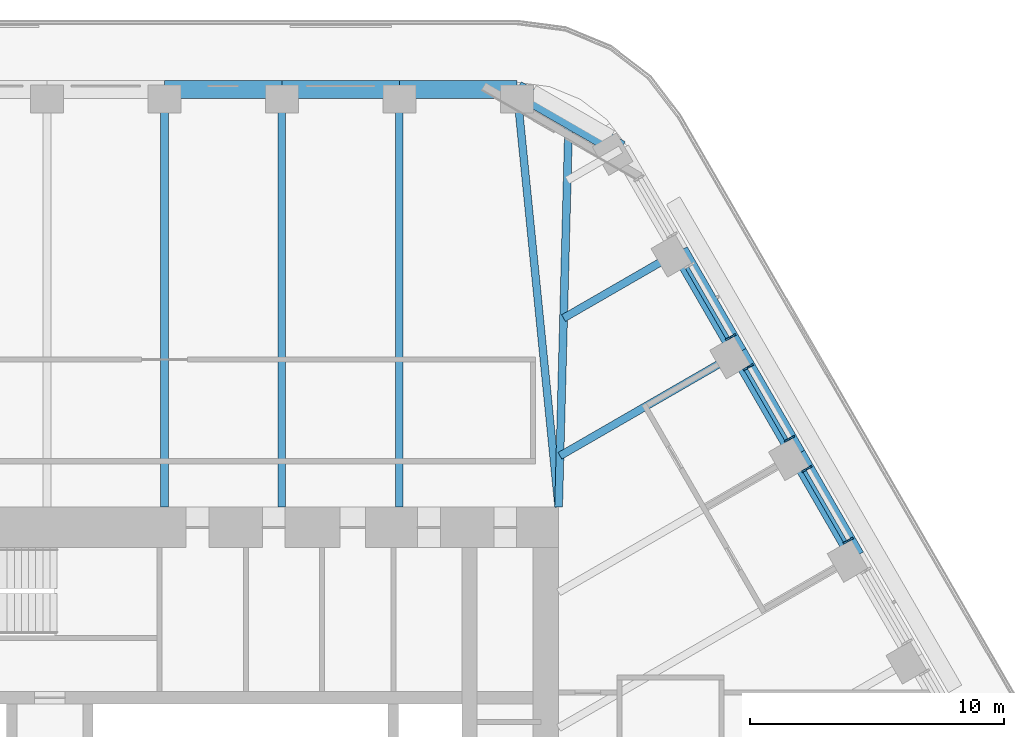
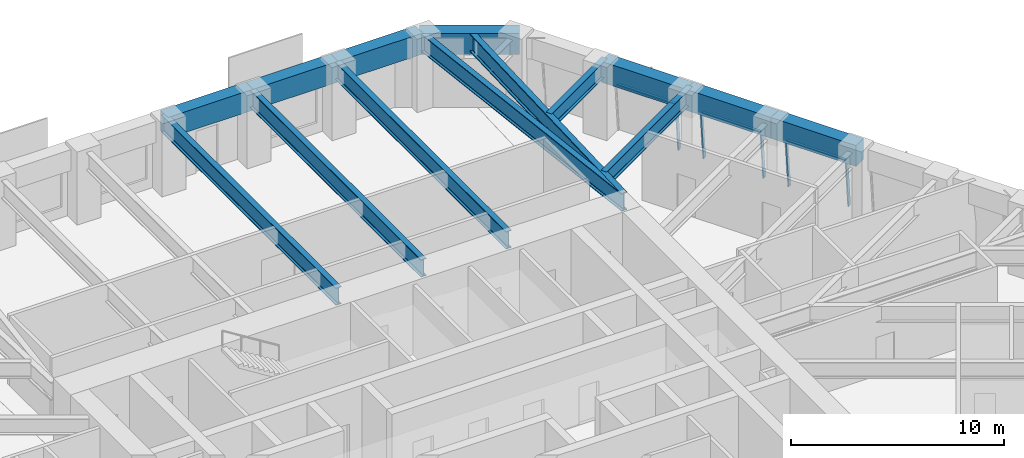
# One storey, part 11 of 20: 14 beams, 8 members, 3 elements without a shape of their own.
"""IFC4 building model written with IfcOpenShell, lengths in metres."""

from ifc_helpers import new_model, si_unit, direction, frame, origin, origin_2d, place, context, subcontext, project, spatial, rectangle, i_section, extrude, material, material_profile, profile_set, type_object, element, aggregate, save


model = new_model("IFC4")

# Units and contexts
model_context = context("Model", 3, precision=1e-05, world=origin(), true_north=direction((0.0, 1.0)))
body_context = subcontext(model_context, "Body", "Model", "MODEL_VIEW")
ifc_project = project(units=[si_unit("LENGTHUNIT", "METRE"), si_unit("AREAUNIT", "SQUARE_METRE"), si_unit("VOLUMEUNIT", "CUBIC_METRE"), si_unit("PLANEANGLEUNIT", "RADIAN"), si_unit("MASSUNIT", "GRAM", prefix="KILO")], contexts=[model_context])

# Site, building, storey
site_placement = place(None, origin())
site = spatial("IfcSite", under=ifc_project, at=site_placement, CompositionType="ELEMENT")
building_placement = place(site_placement, origin())
building = spatial("IfcBuilding", under=site, at=building_placement, Name="Tarfa Lantern Tower", CompositionType="ELEMENT")
storey_placement = place(building_placement, frame((0.0, 0.0, 253.300048828125)))
storey = spatial("IfcBuildingStorey", under=building, at=storey_placement, Name="L57", CompositionType="ELEMENT", Elevation=253.300048828125)

# Curtain wall, members
ifc_material_1 = material(Name="Aluminium framed curtain wall", Category="aluminium")
curtain_wall_type = type_object("IfcCurtainWallType", Name="CW3 CANTED GLAZING HIGH ZONE 2800", PredefinedType="USERDEFINED", material=ifc_material_1)
curtain_wall_1_placement = place(storey_placement, origin())
curtain_wall_1 = element("IfcCurtainWall", 1, at=curtain_wall_1_placement, inside=storey, type_object=curtain_wall_type, Name="CW3 NE L57", ObjectType="CURTAIN WALL", PredefinedType="USERDEFINED")
ifc_material_2 = material(Name="Aluminium mullion", Category="aluminium")
ifc_material_profile_1 = material_profile(ifc_material_2, rectangle(XDim=0.06494140625, YDim=0.199951171875, at=origin_2d()), Name="AL MULLION 65x200")
ifc_profile_set_1 = profile_set([ifc_material_profile_1], Name="Aluminium mullion")
member_type_1 = type_object("IfcMemberType", Name="CWM1 MULLION 65x200", PredefinedType="MULLION", material=ifc_profile_set_1)
member_1_placement = place(storey_placement, frame((26.996337890625, 11.041015625, 0.0), z_axis=(-0.077032386753, -0.044465143199, 0.996036576854), x_axis=(0.499919672301, -0.866071776036, 0.0)))
member_1 = element("IfcMember", 2, at=member_1_placement, type_object=member_type_1, Name="CW3 mullion 1", PredefinedType="MULLION", context=body_context, shape_type="SweptSolid", body=[
    extrude(rectangle(XDim=0.06494140625, YDim=0.199951171875, at=origin_2d()), origin(), (0.0, 0.0, 1.0), 2.811279296875),
])
member_2_placement = place(storey_placement, frame((25.369384765625, 13.85888671875, 0.0), z_axis=(-0.077032386753, -0.044465143199, 0.996036576854), x_axis=(0.499919672301, -0.866071776036, 0.0)))
member_2 = element("IfcMember", 3, at=member_2_placement, type_object=member_type_1, Name="CW3 mullion 2", PredefinedType="MULLION", context=body_context, shape_type="SweptSolid", body=[
    extrude(rectangle(XDim=0.06494140625, YDim=0.199951171875, at=origin_2d()), origin(), (0.0, 0.0, 1.0), 2.811279296875),
])

curtain_wall_2_placement = place(storey_placement, origin())
curtain_wall_2 = element("IfcCurtainWall", 4, at=curtain_wall_2_placement, inside=storey, type_object=curtain_wall_type, Name="CW3 NE L57", ObjectType="CURTAIN WALL", PredefinedType="USERDEFINED")
member_3_placement = place(storey_placement, frame((24.686767578125, 15.041015625, 0.0), z_axis=(-0.076946055247, -0.044465440504, 0.996043236603), x_axis=(0.500342721131, -0.865827443207, 0.0)))
member_3 = element("IfcMember", 5, at=member_3_placement, type_object=member_type_1, Name="CW3 mullion 1", PredefinedType="MULLION", context=body_context, shape_type="SweptSolid", body=[
    extrude(rectangle(XDim=0.06494140625, YDim=0.199951171875, at=origin_2d()), origin(), (0.0, 0.0, 1.0), 2.811279296875),
])
member_4_placement = place(storey_placement, frame((23.06005859375, 17.85888671875, 0.0), z_axis=(-0.077032386753, -0.044465143199, 0.996036576854), x_axis=(0.499919672301, -0.866071776036, 0.0)))
member_4 = element("IfcMember", 6, at=member_4_placement, type_object=member_type_1, Name="CW3 mullion 2", PredefinedType="MULLION", context=body_context, shape_type="SweptSolid", body=[
    extrude(rectangle(XDim=0.06494140625, YDim=0.199951171875, at=origin_2d()), origin(), (0.0, 0.0, 1.0), 2.811279296875),
])

# Curtain wall, member
curtain_wall_3_placement = place(storey_placement, origin())
curtain_wall_3 = element("IfcCurtainWall", 7, at=curtain_wall_3_placement, inside=storey, type_object=curtain_wall_type, Name="CW3 NE L57", ObjectType="CURTAIN WALL", PredefinedType="USERDEFINED")
member_5_placement = place(storey_placement, frame((22.37744140625, 19.041015625, 0.0), z_axis=(-0.077032386753, -0.044465143199, 0.996036576854), x_axis=(0.499919672301, -0.866071776036, 0.0)))
member_5 = element("IfcMember", 8, at=member_5_placement, type_object=member_type_1, Name="CW3 mullion 1", PredefinedType="MULLION", context=body_context, shape_type="SweptSolid", body=[
    extrude(rectangle(XDim=0.06494140625, YDim=0.199951171875, at=origin_2d()), origin(), (0.0, 0.0, 1.0), 2.811279296875),
])

# Member
ifc_material_3 = material(Name="Aluminium transom", Category="aluminium")
ifc_material_profile_2 = material_profile(ifc_material_3, rectangle(XDim=0.14990234375, YDim=0.06494140625, at=origin_2d()), Name="AL TRANSOM 150x65")
ifc_profile_set_2 = profile_set([ifc_material_profile_2], Name="Aluminium transom")
member_type_2 = type_object("IfcMemberType", Name="CWT1 TRANSOM 150x65", PredefinedType="USERDEFINED", material=ifc_profile_set_2)
member_6_placement = place(storey_placement, frame((26.76611328125, 10.945556640625, 2.767333984375), z_axis=(-0.500000789788, 0.8660249478, 0.0), x_axis=(-0.8660249478, -0.500000789788, 0.0)))
member_6 = element("IfcMember", 9, at=member_6_placement, type_object=member_type_2, Name="CW3 transom 1.2", ObjectType="TRANSOM", PredefinedType="USERDEFINED", context=body_context, shape_type="SweptSolid", body=[
    extrude(rectangle(XDim=0.14990234375, YDim=0.06494140625, at=origin_2d()), origin(), (0.0, 0.0, 1.0), 3.18896484375),
])

aggregate(curtain_wall_1, [member_1, member_2, member_6])

member_7_placement = place(storey_placement, frame((24.45654296875, 14.945556640625, 2.767333984375), z_axis=(-0.499943367995, 0.866058097819, 0.0), x_axis=(-0.866058097819, -0.499943367995, 0.0)))
member_7 = element("IfcMember", 10, at=member_7_placement, type_object=member_type_2, Name="CW3 transom 1.2", ObjectType="TRANSOM", PredefinedType="USERDEFINED", context=body_context, shape_type="SweptSolid", body=[
    extrude(rectangle(XDim=0.14990234375, YDim=0.06494140625, at=origin_2d()), origin(), (0.0, 0.0, 1.0), 3.188720703125),
])

aggregate(curtain_wall_2, [member_3, member_4, member_7])

member_8_placement = place(storey_placement, frame((22.147216796875, 18.945556640625, 2.767333984375), z_axis=(-0.500000789788, 0.8660249478, 0.0), x_axis=(-0.8660249478, -0.500000789788, 0.0)))
member_8 = element("IfcMember", 11, at=member_8_placement, type_object=member_type_2, Name="CW3 transom 1.2", ObjectType="TRANSOM", PredefinedType="USERDEFINED", context=body_context, shape_type="SweptSolid", body=[
    extrude(rectangle(XDim=0.14990234375, YDim=0.06494140625, at=origin_2d()), origin(), (0.0, 0.0, 1.0), 3.18896484375),
])

aggregate(curtain_wall_3, [member_5, member_8])

# Beams
ifc_material_4 = material(Name="Concrete C80/95", Category="concrete")
ifc_material_profile_3 = material_profile(ifc_material_4, rectangle(XDim=0.699951171875, YDim=1.199951171875, at=origin_2d()), Name="RC 700x1200")
ifc_profile_set_3 = profile_set([ifc_material_profile_3], Name="Concrete C80/95")
beam_type_1 = type_object("IfcBeamType", Name="EB3 RC 700x1200", PredefinedType="SPANDREL", material=ifc_profile_set_3)
beam_1_placement = place(storey_placement, frame((27.181640625, 10.360107421875, 3.39990234375), z_axis=(-0.499987836815, 0.866032426089, 0.0), x_axis=(-0.866032426089, -0.499987836815, 0.0)))
element("IfcBeam", 12, at=beam_1_placement, inside=storey, type_object=beam_type_1, Name="Edge beam NE2", PredefinedType="SPANDREL", context=body_context, shape_type="SweptSolid", body=[
    extrude(rectangle(XDim=0.699951171875, YDim=1.199951171875, at=origin_2d()), origin(), (0.0, 0.0, 1.0), 4.61865234375),
])
beam_2_placement = place(storey_placement, frame((24.872314453125, 14.360107421875, 3.39990234375), z_axis=(-0.500027479704, 0.866009537788, 0.0), x_axis=(-0.866009537788, -0.500027479704, 0.0)))
element("IfcBeam", 13, at=beam_2_placement, inside=storey, type_object=beam_type_1, Name="Edge beam NE3", PredefinedType="SPANDREL", context=body_context, shape_type="SweptSolid", body=[
    extrude(rectangle(XDim=0.699951171875, YDim=1.199951171875, at=origin_2d()), origin(), (0.0, 0.0, 1.0), 4.618896484375),
])
beam_3_placement = place(storey_placement, frame((22.562744140625, 18.360107421875, 3.39990234375), z_axis=(-0.499987836815, 0.866032426089, 0.0), x_axis=(-0.866032426089, -0.499987836815, 0.0)))
element("IfcBeam", 14, at=beam_3_placement, inside=storey, type_object=beam_type_1, Name="Edge beam NE4", PredefinedType="SPANDREL", context=body_context, shape_type="SweptSolid", body=[
    extrude(rectangle(XDim=0.699951171875, YDim=1.199951171875, at=origin_2d()), origin(), (0.0, 0.0, 1.0), 4.61865234375),
])
beam_4_placement = place(storey_placement, frame((17.944091796875, 26.360107421875, 3.39990234375), z_axis=(-0.866038294681, 0.499977671647, 0.0), x_axis=(-0.499977671647, -0.866038294681, 0.0)))
element("IfcBeam", 15, at=beam_4_placement, inside=storey, type_object=beam_type_1, Name="Edge beam NE6", PredefinedType="SPANDREL", context=body_context, shape_type="SweptSolid", body=[
    extrude(rectangle(XDim=0.699951171875, YDim=1.199951171875, at=origin_2d()), origin(), (0.0, 0.0, 1.0), 4.719970703125),
])
beam_5_placement = place(storey_placement, frame((13.8564453125, 28.719970703125, 3.39990234375), z_axis=(-1.0, 0.0, 0.0), x_axis=(0.0, -1.0, 0.0)))
element("IfcBeam", 16, at=beam_5_placement, inside=storey, type_object=beam_type_1, Name="Edge beam N0", PredefinedType="SPANDREL", context=body_context, shape_type="SweptSolid", body=[
    extrude(rectangle(XDim=0.699951171875, YDim=1.199951171875, at=origin_2d()), origin(), (0.0, 0.0, 1.0), 4.618896484375),
])
beam_6_placement = place(storey_placement, frame((9.237548828125, 28.719970703125, 3.39990234375), z_axis=(-1.0, 0.0, 0.0), x_axis=(0.0, -1.0, 0.0)))
element("IfcBeam", 17, at=beam_6_placement, inside=storey, type_object=beam_type_1, Name="Edge beam N1", PredefinedType="SPANDREL", context=body_context, shape_type="SweptSolid", body=[
    extrude(rectangle(XDim=0.699951171875, YDim=1.199951171875, at=origin_2d()), origin(), (0.0, 0.0, 1.0), 4.61865234375),
])
beam_7_placement = place(storey_placement, frame((4.618896484375, 28.719970703125, 3.39990234375), z_axis=(-1.0, 0.0, 0.0), x_axis=(0.0, -1.0, 0.0)))
element("IfcBeam", 18, at=beam_7_placement, inside=storey, type_object=beam_type_1, Name="Edge beam N2", PredefinedType="SPANDREL", context=body_context, shape_type="SweptSolid", body=[
    extrude(rectangle(XDim=0.699951171875, YDim=1.199951171875, at=origin_2d()), origin(), (0.0, 0.0, 1.0), 4.618896484375),
])
ifc_material_5 = material(Name="Steel S460M", Category="steel")
ifc_material_profile_4 = material_profile(ifc_material_5, i_section(OverallWidth=0.302001953125, OverallDepth=1.008056640625, WebThickness=0.02099609375, FlangeThickness=0.0400390625, FilletRadius=0.030029296875, at=origin_2d()), Name="UB1016x305x349")
ifc_profile_set_4 = profile_set([ifc_material_profile_4], Name="Steel S460M")
beam_type_2 = type_object("IfcBeamType", Name="UB1016x305x349", PredefinedType="BEAM", material=ifc_profile_set_4)
beam_8_placement = place(storey_placement, frame((13.8564453125, 28.719970703125, 3.495849609375), z_axis=(0.099597466746, -0.995027810977, 0.0), x_axis=(0.995027810977, 0.099597466746, 0.0)))
element("IfcBeam", 19, at=beam_8_placement, inside=storey, type_object=beam_type_2, Name="Floor beam N0", PredefinedType="BEAM", context=body_context, shape_type="SweptSolid", body=[
    extrude(i_section(OverallWidth=0.302001953125, OverallDepth=1.008056640625, WebThickness=0.02099609375, FlangeThickness=0.0400390625, FilletRadius=0.030029296875, at=origin_2d()), origin(), (0.0, 0.0, 1.0), 16.501953125),
])
for number, where, z_axis, x_axis, name in (
    (20, (9.237548828125, 28.719970703125, 3.495849609375), (0.0, -1.0, 0.0), (1.0, 0.0, 0.0), "Floor beam N1"),
    (21, (4.618896484375, 28.719970703125, 3.495849609375), (0.0, -1.0, 0.0), (1.0, 0.0, 0.0), "Floor beam N2"),
    (22, (0.0, 28.719970703125, 3.495849609375), (0.0, -1.0, 0.0), (1.0, 0.0, 0.0), "Floor beam N3"),
):
    element("IfcBeam", number, at=place(storey_placement, frame(where, z_axis=z_axis, x_axis=x_axis)), inside=storey, type_object=beam_type_2, Name=name, PredefinedType="BEAM", context=body_context, shape_type="SweptSolid", body=[
        extrude(i_section(OverallWidth=0.302001953125, OverallDepth=1.008056640625, WebThickness=0.02099609375, FlangeThickness=0.0400390625, FilletRadius=0.030029296875, at=origin_2d()), origin(), (0.0, 0.0, 1.0), 16.419921875),
    ])
ifc_material_profile_5 = material_profile(ifc_material_5, i_section(OverallWidth=0.30859375, OverallDepth=1.036376953125, WebThickness=0.030029296875, FlangeThickness=0.05419921875, FilletRadius=0.030029296875, at=origin_2d()), Name="UB1016x305x487")
ifc_profile_set_5 = profile_set([ifc_material_profile_5], Name="Steel S460M")
beam_type_3 = type_object("IfcBeamType", Name="UB1016x305x487", PredefinedType="BEAM", material=ifc_profile_set_5)
beam_9_placement = place(storey_placement, frame((15.5, 12.300048828125, 3.481689453125), z_axis=(0.026247301989, 0.999655480222, 0.0), x_axis=(-0.999655480222, 0.026247301989, 0.0)))
element("IfcBeam", 23, at=beam_9_placement, inside=storey, type_object=beam_type_3, Name="Hip girder NE", PredefinedType="BEAM", context=body_context, shape_type="SweptSolid", body=[
    extrude(i_section(OverallWidth=0.30859375, OverallDepth=1.036376953125, WebThickness=0.030029296875, FlangeThickness=0.05419921875, FilletRadius=0.030029296875, at=origin_2d()), origin(), (0.0, 0.0, 1.0), 15.245361328125),
])
ifc_material_profile_6 = material_profile(ifc_material_5, i_section(OverallWidth=0.305419921875, OverallDepth=0.91845703125, WebThickness=0.017333984375, FlangeThickness=0.02783203125, FilletRadius=0.01904296875, at=origin_2d()), Name="UB914x305x253")
ifc_profile_set_6 = profile_set([ifc_material_profile_6], Name="Steel S460M")
beam_type_4 = type_object("IfcBeamType", Name="UB914x305x253", PredefinedType="BEAM", material=ifc_profile_set_6)
beam_10_placement = place(storey_placement, frame((22.562744140625, 18.360107421875, 3.540771484375), z_axis=(-0.866010787764, -0.500025314835, 0.0), x_axis=(0.500025314835, -0.866010787764, 0.0)))
element("IfcBeam", 24, at=beam_10_placement, inside=storey, type_object=beam_type_4, Name="Floor beam NE4", PredefinedType="BEAM", context=body_context, shape_type="SweptSolid", body=[
    extrude(i_section(OverallWidth=0.305419921875, OverallDepth=0.91845703125, WebThickness=0.017333984375, FlangeThickness=0.02783203125, FilletRadius=0.01904296875, at=origin_2d()), origin(), (0.0, 0.0, 1.0), 8.09423828125),
])
beam_11_placement = place(storey_placement, frame((20.25341796875, 22.360107421875, 3.540771484375), z_axis=(-0.86601951648, -0.500010196972, 0.0), x_axis=(0.500010196972, -0.86601951648, 0.0)))
element("IfcBeam", 25, at=beam_11_placement, inside=storey, type_object=beam_type_4, Name="Floor beam NE5", PredefinedType="BEAM", context=body_context, shape_type="SweptSolid", body=[
    extrude(i_section(OverallWidth=0.305419921875, OverallDepth=0.91845703125, WebThickness=0.017333984375, FlangeThickness=0.02783203125, FilletRadius=0.01904296875, at=origin_2d()), origin(), (0.0, 0.0, 1.0), 5.263671875),
])

save(model, "model.ifc")
